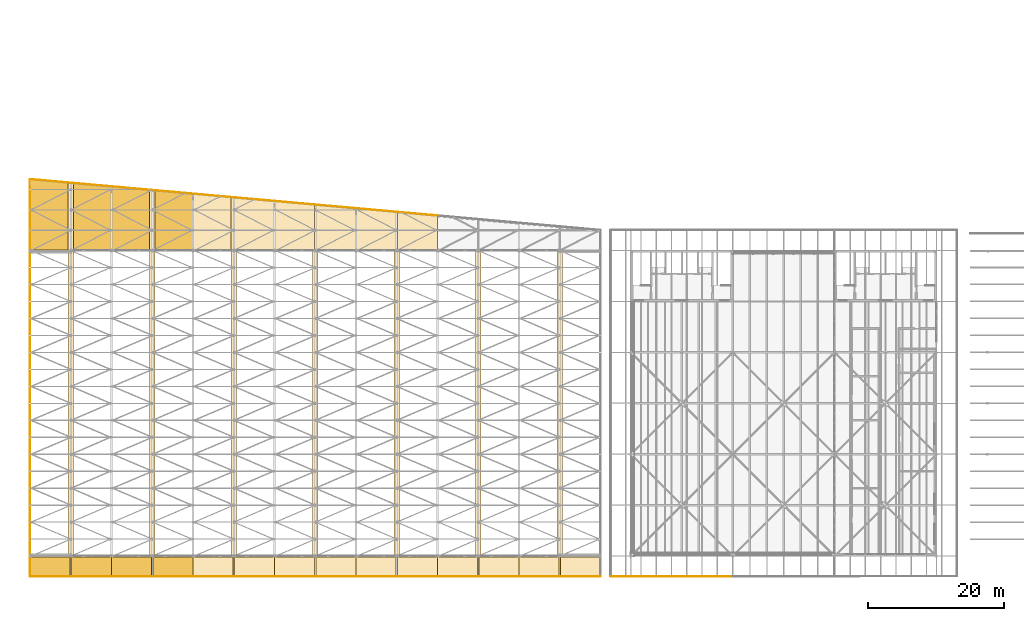
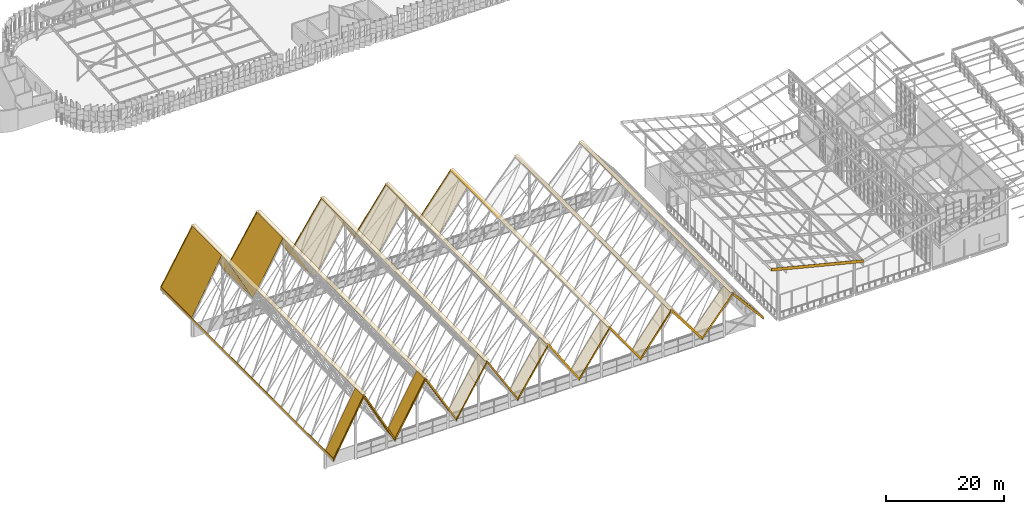
# One storey, part 459 of 483: 57 coverings.
"""IFC4 building model written with IfcOpenShell, lengths in metres."""

from ifc_helpers import new_model, si_unit, direction, frame, origin, place, context, subcontext, project, spatial, polyline, outline, extrude, material, layer, layer_set, type_object, element, save


model = new_model("IFC4")

# Units and contexts
model_context = context("Model", 3, precision=1e-05, world=origin(), true_north=direction((0.0, 1.0)))
body_context = subcontext(model_context, "Body", "Model", "MODEL_VIEW")
ifc_project = project(units=[si_unit("LENGTHUNIT", "METRE"), si_unit("AREAUNIT", "SQUARE_METRE"), si_unit("VOLUMEUNIT", "CUBIC_METRE"), si_unit("PLANEANGLEUNIT", "RADIAN"), si_unit("MASSUNIT", "GRAM", prefix="KILO")], contexts=[model_context])

# Site, building, storey
site_placement = place(None, origin())
site = spatial("IfcSite", under=ifc_project, at=site_placement, CompositionType="ELEMENT")
building_placement = place(site_placement, origin())
building = spatial("IfcBuilding", under=site, at=building_placement, Name="Parallax Yard Mobility Hub", CompositionType="ELEMENT")
storey_placement = place(building_placement, frame((0.0, 0.0, 13.199951171875)))
storey = spatial("IfcBuildingStorey", under=building, at=storey_placement, Name="L04", CompositionType="ELEMENT", Elevation=13.199951171875)

# Coverings
ifc_material_1 = material(Name="Perforated aluminium soffit panels", Category="aluminium")
ifc_layer_1 = layer(ifc_material_1, 0.02001953125)
ifc_layer_set_1 = layer_set([ifc_layer_1], Name="Eaves soffit lining 20")
covering_type_1 = type_object("IfcCoveringType", Name="Eaves soffit lining 20", PredefinedType="CEILING", material=ifc_layer_set_1)
covering_1_placement = place(storey_placement, frame((81.0, 4.5, 3.659423828125), z_axis=(0.793728576606, 0.0, 0.608272099212), x_axis=(-0.608272099212, 0.0, 0.793728576606)))
element("IfcCovering", 1, at=covering_1_placement, inside=storey, type_object=covering_type_1, Name="Eaves soffit south under roof plate P12", PredefinedType="CEILING", context=body_context, shape_type="SweptSolid", body=[
    extrude(outline(polyline([(0.0, 0.0), (9.70867739253314, 0.0), (9.70867739253314, -2.889892578125), (0.0, -2.889892578125), (0.0, 0.0)])), origin(), (0.0, 0.0, -1.0), 0.02001953125),
])
for number, where, z_axis, x_axis, name in (
    (2, (86.908935546875, 4.5, 10.701904296875), (-0.766460807991, 0.0, 0.642291078728), (-0.642291078728, 0.0, -0.766460807991), "Eaves soffit south under roof plate P13"),
    (3, (93.0, 4.5, 3.650634765625), (0.766460807991, 0.0, 0.642291078728), (-0.642291078728, 0.0, 0.766460807991), "Eaves soffit south under roof plate P14"),
):
    element("IfcCovering", number, at=place(storey_placement, frame(where, z_axis=z_axis, x_axis=x_axis)), inside=storey, type_object=covering_type_1, Name=name, PredefinedType="CEILING", context=body_context, shape_type="SweptSolid", body=[
        extrude(outline(polyline([(0.0, 0.0), (9.199778328821708, 0.0), (9.199778328821708, -2.889892578125), (0.0, -2.889892578125), (0.0, 0.0)])), origin(), (0.0, 0.0, -1.0), 0.02001953125),
    ])
covering_2_placement = place(storey_placement, frame((69.0, 4.5, 3.668701171875), z_axis=(0.81707292805, 0.0, 0.576534327033), x_axis=(-0.576534327033, 0.0, 0.81707292805)))
element("IfcCovering", 4, at=covering_2_placement, inside=storey, type_object=covering_type_1, Name="Eaves soffit south under roof plate P10", PredefinedType="CEILING", context=body_context, shape_type="SweptSolid", body=[
    extrude(outline(polyline([(0.0, 0.0), (10.238051081882457, 0.0), (10.238051081882457, -2.889892578125), (0.0, -2.889892578125), (0.0, 0.0)])), origin(), (0.0, 0.0, -1.0), 0.02001953125),
])
covering_3_placement = place(storey_placement, frame((63.097412109375, 58.169921875, 12.033935546875), z_axis=(0.81707292805, 0.0, 0.576534327033), x_axis=(0.575771750112, -0.051416272014, -0.815992192821)))
element("IfcCovering", 5, at=covering_3_placement, inside=storey, type_object=covering_type_1, Name="Eaves soffit north under roof plate P10", PredefinedType="CEILING", context=body_context, shape_type="SweptSolid", body=[
    extrude(outline(polyline([(0.0, 0.0), (10.251610797988667, -5.551115123125783e-17), (10.510374233365754, -5.02605811576164), (0.2858649322713887, -5.552460535084885), (0.0, 0.0)])), origin(), (0.0, 0.0, -1.0), 0.02001953125),
])
covering_4_placement = place(storey_placement, frame((74.905517578125, 4.5, 11.365478515625), z_axis=(-0.793728576606, 0.0, 0.608272099212), x_axis=(-0.608272099212, 0.0, -0.793728576606)))
element("IfcCovering", 6, at=covering_4_placement, inside=storey, type_object=covering_type_1, Name="Eaves soffit south under roof plate P11", PredefinedType="CEILING", context=body_context, shape_type="SweptSolid", body=[
    extrude(outline(polyline([(0.0, 0.0), (9.70867739253314, 0.0), (9.70867739253314, -2.889892578125), (0.0, -2.889892578125), (0.0, 0.0)])), origin(), (0.0, 0.0, -1.0), 0.02001953125),
])
covering_5_placement = place(storey_placement, frame((50.900146484375, 4.5, 12.703125), z_axis=(-0.837001523181, 0.0, 0.547200557559), x_axis=(-0.547200557559, 0.0, -0.837001523181)))
element("IfcCovering", 7, at=covering_5_placement, inside=storey, type_object=covering_type_1, Name="Eaves soffit south under roof plate P07", PredefinedType="CEILING", context=body_context, shape_type="SweptSolid", body=[
    extrude(outline(polyline([(0.0, 0.0), (10.782420454207253, 0.0), (10.782420454207253, -2.889892578125), (0.0, -2.889892578125), (0.0, 0.0)])), origin(), (0.0, 0.0, -1.0), 0.02001953125),
])
covering_6_placement = place(storey_placement, frame((45.0, 59.78564453125, 3.67822265625), z_axis=(-0.837001523181, 0.0, 0.547200557559), x_axis=(0.546548493635, -0.04880422267, 0.836004121972)))
element("IfcCovering", 8, at=covering_6_placement, inside=storey, type_object=covering_type_1, Name="Eaves soffit north under roof plate P07", PredefinedType="CEILING", context=body_context, shape_type="SweptSolid", body=[
    extrude(outline(polyline([(0.0, 0.0), (10.795284504646402, 0.0), (11.119768243896935, -6.640758831740988), (0.35019651086227804, -7.1669864805089185), (0.0, 0.0)])), origin(), (0.0, 0.0, -1.0), 0.02001953125),
])
covering_7_placement = place(storey_placement, frame((57.0, 4.5, 3.67822265625), z_axis=(0.837001523181, 0.0, 0.547200557559), x_axis=(-0.547200557559, 0.0, 0.837001523181)))
element("IfcCovering", 9, at=covering_7_placement, inside=storey, type_object=covering_type_1, Name="Eaves soffit south under roof plate P08", PredefinedType="CEILING", context=body_context, shape_type="SweptSolid", body=[
    extrude(outline(polyline([(0.0, 0.0), (10.782420454207253, 0.0), (10.782420454207253, -2.889892578125), (0.0, -2.889892578125), (0.0, 0.0)])), origin(), (0.0, 0.0, -1.0), 0.02001953125),
])
covering_8_placement = place(storey_placement, frame((51.099853515625, 59.2412109375, 12.703125), z_axis=(0.837001523181, 0.0, 0.547200557559), x_axis=(0.546548493635, -0.04880422267, -0.836004121972)))
element("IfcCovering", 10, at=covering_8_placement, inside=storey, type_object=covering_type_1, Name="Eaves soffit north under roof plate P08", PredefinedType="CEILING", context=body_context, shape_type="SweptSolid", body=[
    extrude(outline(polyline([(0.0, 0.0), (10.795284504646402, 0.0), (11.093197585558569, -6.096974004700912), (0.32362585252391324, -6.6232016534688425), (0.0, 0.0)])), origin(), (0.0, 0.0, -1.0), 0.02001953125),
])
covering_9_placement = place(storey_placement, frame((62.902587890625, 4.5, 12.033935546875), z_axis=(-0.81707292805, 0.0, 0.576534327033), x_axis=(-0.576534327033, 0.0, -0.81707292805)))
element("IfcCovering", 11, at=covering_9_placement, inside=storey, type_object=covering_type_1, Name="Eaves soffit south under roof plate P09", PredefinedType="CEILING", context=body_context, shape_type="SweptSolid", body=[
    extrude(outline(polyline([(0.0, 0.0), (10.238051081882457, 0.0), (10.238051081882457, -2.889892578125), (0.0, -2.889892578125), (0.0, 0.0)])), origin(), (0.0, 0.0, -1.0), 0.02001953125),
])
covering_10_placement = place(storey_placement, frame((57.0, 58.71435546875, 3.668701171875), z_axis=(-0.81707292805, 0.0, 0.576534327033), x_axis=(0.575771750112, -0.051416272014, 0.815992192821)))
element("IfcCovering", 12, at=covering_10_placement, inside=storey, type_object=covering_type_1, Name="Eaves soffit north under roof plate P09", PredefinedType="CEILING", context=body_context, shape_type="SweptSolid", body=[
    extrude(outline(polyline([(0.0, 0.0), (10.251610797988667, -5.551115123125783e-17), (10.538366979115773, -5.569771591950077), (0.3138576780214083, -6.096174011273321), (0.0, 0.0)])), origin(), (0.0, 0.0, -1.0), 0.02001953125),
])
covering_11_placement = place(storey_placement, frame((33.0, 4.5, 3.69775390625), z_axis=(0.868756272801, 0.0, 0.495239879725), x_axis=(-0.495239879725, 0.0, 0.868756272801)))
element("IfcCovering", 13, at=covering_11_placement, inside=storey, type_object=covering_type_1, Name="Eaves soffit south under roof plate P04", PredefinedType="CEILING", context=body_context, shape_type="SweptSolid", body=[
    extrude(outline(polyline([(0.0, 0.0), (11.90582680388144, 0.0), (11.90582680388144, -2.889892578125), (0.0, -2.889892578125), (0.0, 0.0)])), origin(), (0.0, 0.0, -1.0), 0.02001953125),
])
covering_12_placement = place(storey_placement, frame((27.103759765625, 61.383544921875, 14.041015625), z_axis=(0.868756272801, 0.0, 0.495239879725), x_axis=(0.494756589485, -0.044167744894, -0.867908478742)))
element("IfcCovering", 14, at=covering_12_placement, inside=storey, type_object=covering_type_1, Name="Eaves soffit north under roof plate P04", PredefinedType="CEILING", context=body_context, shape_type="SweptSolid", body=[
    extrude(outline(polyline([(0.0, 0.0), (11.917456704351748, 5.551115123125783e-17), (12.281711202034984, -8.239022235692557), (0.38750294934117246, -8.764875756715444), (0.0, 0.0)])), origin(), (0.0, 0.0, -1.0), 0.02001953125),
])
covering_13_placement = place(storey_placement, frame((38.89794921875, 4.5, 13.37255859375), z_axis=(-0.854087112772, 0.0, 0.520129987404), x_axis=(-0.520129987404, 0.0, -0.854087112772)))
element("IfcCovering", 15, at=covering_13_placement, inside=storey, type_object=covering_type_1, Name="Eaves soffit south under roof plate P05", PredefinedType="CEILING", context=body_context, shape_type="SweptSolid", body=[
    extrude(outline(polyline([(0.0, 0.0), (11.33937546685939, 0.0), (11.33937546685939, -2.889892578125), (0.0, -2.889892578125), (0.0, 0.0)])), origin(), (0.0, 0.0, -1.0), 0.02001953125),
])
covering_14_placement = place(storey_placement, frame((33.0, 60.857177734375, 3.687744140625), z_axis=(-0.854087112772, 0.0, 0.520129987404), x_axis=(0.519569994903, -0.046390946229, 0.853167568831)))
element("IfcCovering", 16, at=covering_14_placement, inside=storey, type_object=covering_type_1, Name="Eaves soffit north under roof plate P05", PredefinedType="CEILING", context=body_context, shape_type="SweptSolid", body=[
    extrude(outline(polyline([(0.0, 0.0), (11.351597044879728, 5.551115123125783e-17), (11.709756442488912, -7.712146833101719), (0.38258939541593795, -8.238191190657941), (0.0, 0.0)])), origin(), (0.0, 0.0, -1.0), 0.02001953125),
])
covering_15_placement = place(storey_placement, frame((45.0, 4.5, 3.687744140625), z_axis=(0.854087112772, 0.0, 0.520129987404), x_axis=(-0.520129987404, 0.0, 0.854087112772)))
element("IfcCovering", 17, at=covering_15_placement, inside=storey, type_object=covering_type_1, Name="Eaves soffit south under roof plate P06", PredefinedType="CEILING", context=body_context, shape_type="SweptSolid", body=[
    extrude(outline(polyline([(0.0, 0.0), (11.33937546685939, 0.0), (11.33937546685939, -2.889892578125), (0.0, -2.889892578125), (0.0, 0.0)])), origin(), (0.0, 0.0, -1.0), 0.02001953125),
])
covering_16_placement = place(storey_placement, frame((39.10205078125, 60.312255859375, 13.37255859375), z_axis=(0.854087112772, 0.0, 0.520129987404), x_axis=(0.519569994903, -0.046390946229, -0.853167568831)))
element("IfcCovering", 18, at=covering_16_placement, inside=storey, type_object=covering_type_1, Name="Eaves soffit north under roof plate P06", PredefinedType="CEILING", context=body_context, shape_type="SweptSolid", body=[
    extrude(outline(polyline([(0.0, 0.0), (11.351597044879728, 5.551115123125783e-17), (11.684477001086652, -7.167811642528939), (0.35730995401367704, -7.693856000085161), (0.0, 0.0)])), origin(), (0.0, 0.0, -1.0), 0.02001953125),
])
covering_17_placement = place(storey_placement, frame((14.894775390625, 4.5, 14.71044921875), z_axis=(-0.881463977305, 0.0, 0.472251264385), x_axis=(-0.472251264385, 0.0, -0.881463977305)))
element("IfcCovering", 19, at=covering_17_placement, inside=storey, type_object=covering_type_1, Name="Eaves soffit south under roof plate P01", PredefinedType="CEILING", context=body_context, shape_type="SweptSolid", body=[
    extrude(outline(polyline([(0.0, 0.0), (12.48228609467553, 0.0), (12.48228609467553, -2.889892578125), (0.0, -2.889892578125), (0.0, 0.0)])), origin(), (0.0, 0.0, -1.0), 0.02001953125),
])
covering_18_placement = place(storey_placement, frame((9.0, 63.0, 3.707763671875), z_axis=(-0.881463977305, 0.0, 0.472251264385), x_axis=(0.471831936495, -0.042131690001, 0.88068129559)))
element("IfcCovering", 20, at=covering_18_placement, inside=storey, type_object=covering_type_1, Name="Eaves soffit north under roof plate P01", PredefinedType="CEILING", context=body_context, shape_type="SweptSolid", body=[
    extrude(outline(polyline([(0.0, 0.0), (12.49337938931684, -5.551115123125783e-17), (12.908946383395135, -9.854767232407713), (0.4377437332489292, -10.380667040656792), (0.0, 0.0)])), origin(), (0.0, 0.0, -1.0), 0.02001953125),
])
covering_19_placement = place(storey_placement, frame((21.0, 4.5, 3.707763671875), z_axis=(0.881463977305, 0.0, 0.472251264385), x_axis=(-0.472251264385, 0.0, 0.881463977305)))
element("IfcCovering", 21, at=covering_19_placement, inside=storey, type_object=covering_type_1, Name="Eaves soffit south under roof plate P02", PredefinedType="CEILING", context=body_context, shape_type="SweptSolid", body=[
    extrude(outline(polyline([(0.0, 0.0), (12.48228609467553, 0.0), (12.48228609467553, -2.889892578125), (0.0, -2.889892578125), (0.0, 0.0)])), origin(), (0.0, 0.0, -1.0), 0.02001953125),
])
covering_20_placement = place(storey_placement, frame((15.105224609375, 62.454833984375, 14.71044921875), z_axis=(0.881463977305, 0.0, 0.472251264385), x_axis=(0.471832324874, -0.042112183065, -0.880682020505)))
element("IfcCovering", 22, at=covering_20_placement, inside=storey, type_object=covering_type_1, Name="Eaves soffit north under roof plate P02", PredefinedType="CEILING", context=body_context, shape_type="SweptSolid", body=[
    extrude(outline(polyline([(0.0, 0.0), (12.493369105640927, -5.551115123125783e-17), (12.885795842800807, -9.310336875612002), (0.41458292722457973, -9.835993192700315), (0.0, 0.0)])), origin(), (0.0, 0.0, -1.0), 0.02001953125),
])
covering_21_placement = place(storey_placement, frame((26.896240234375, 4.5, 14.041015625), z_axis=(-0.868756272801, 0.0, 0.495239879725), x_axis=(-0.495239879725, 0.0, -0.868756272801)))
element("IfcCovering", 23, at=covering_21_placement, inside=storey, type_object=covering_type_1, Name="Eaves soffit south under roof plate P03", PredefinedType="CEILING", context=body_context, shape_type="SweptSolid", body=[
    extrude(outline(polyline([(0.0, 0.0), (11.90582680388144, 0.0), (11.90582680388144, -2.889892578125), (0.0, -2.889892578125), (0.0, 0.0)])), origin(), (0.0, 0.0, -1.0), 0.02001953125),
])
covering_22_placement = place(storey_placement, frame((21.0, 61.9287109375, 3.69775390625), z_axis=(-0.868756272801, 0.0, 0.495239879725), x_axis=(0.494756141716, -0.044188190869, 0.867907693261)))
element("IfcCovering", 24, at=covering_22_placement, inside=storey, type_object=covering_type_1, Name="Eaves soffit north under roof plate P03", PredefinedType="CEILING", context=body_context, shape_type="SweptSolid", body=[
    extrude(outline(polyline([(0.0, 0.0), (11.91746748998844, 5.551115123125783e-17), (12.305969718890134, -8.783404388003518), (0.41177223078276143, -9.309501335268974), (0.0, 0.0)])), origin(), (0.0, 0.0, -1.0), 0.02001953125),
])
ifc_material_2 = material(Name="Aluminium-zinc coated ridge flashing", Category="aluminium")
ifc_layer_2 = layer(ifc_material_2, 0.050048828125)
ifc_layer_set_2 = layer_set([ifc_layer_2], Name="Ridge cap flashing 50")
covering_type_2 = type_object("IfcCoveringType", Name="Ridge cap flashing 50", PredefinedType="CLADDING", material=ifc_layer_set_2)
covering_23_placement = place(storey_placement, frame((0.0, 0.0, 15.04931640625)))
element("IfcCovering", 25, at=covering_23_placement, inside=storey, type_object=covering_type_2, Name="Ridge cap over the roof joint 1", PredefinedType="CLADDING", context=body_context, shape_type="SweptSolid", body=[
    extrude(outline(polyline([(14.5947265625, 4.5), (15.4052734375, 4.5), (15.4052734375, 62.454833984375), (14.5947265625, 62.454833984375), (14.5947265625, 4.5)])), origin(), (0.0, 0.0, 1.0), 0.050048828125),
])
covering_24_placement = place(storey_placement, frame((0.0, 0.0, 14.3642578125)))
element("IfcCovering", 26, at=covering_24_placement, inside=storey, type_object=covering_type_2, Name="Ridge cap over the roof joint 2", PredefinedType="CLADDING", context=body_context, shape_type="SweptSolid", body=[
    extrude(outline(polyline([(26.59619140625, 4.5), (27.40380859375, 4.5), (27.40380859375, 61.383544921875), (26.59619140625, 61.383544921875), (26.59619140625, 4.5)])), origin(), (0.0, 0.0, 1.0), 0.0498046875),
])
covering_25_placement = place(storey_placement, frame((0.0, 0.0, 13.68017578125)))
element("IfcCovering", 27, at=covering_25_placement, inside=storey, type_object=covering_type_2, Name="Ridge cap over the roof joint 3", PredefinedType="CLADDING", context=body_context, shape_type="SweptSolid", body=[
    extrude(outline(polyline([(38.597900390625, 4.5), (39.402099609375, 4.5), (39.402099609375, 60.312255859375), (38.597900390625, 60.312255859375), (38.597900390625, 4.5)])), origin(), (0.0, 0.0, 1.0), 0.050048828125),
])
covering_26_placement = place(storey_placement, frame((0.0, 0.0, 12.99560546875)))
element("IfcCovering", 28, at=covering_26_placement, inside=storey, type_object=covering_type_2, Name="Ridge cap over the roof joint 4", PredefinedType="CLADDING", context=body_context, shape_type="SweptSolid", body=[
    extrude(outline(polyline([(50.60009765625, 4.5), (51.39990234375, 4.5), (51.39990234375, 59.2412109375), (50.60009765625, 59.2412109375), (50.60009765625, 4.5)])), origin(), (0.0, 0.0, 1.0), 0.050048828125),
])
covering_27_placement = place(storey_placement, frame((0.0, 0.0, 12.3115234375)))
element("IfcCovering", 29, at=covering_27_placement, inside=storey, type_object=covering_type_2, Name="Ridge cap over the roof joint 5", PredefinedType="CLADDING", context=body_context, shape_type="SweptSolid", body=[
    extrude(outline(polyline([(62.6025390625, 4.5), (63.3974609375, 4.5), (63.3974609375, 58.169921875), (62.6025390625, 58.169921875), (62.6025390625, 4.5)])), origin(), (0.0, 0.0, 1.0), 0.0498046875),
])
covering_28_placement = place(storey_placement, frame((0.0, 0.0, 11.628662109375)))
element("IfcCovering", 30, at=covering_28_placement, inside=storey, type_object=covering_type_2, Name="Ridge cap over the roof joint 6", PredefinedType="CLADDING", context=body_context, shape_type="SweptSolid", body=[
    extrude(outline(polyline([(74.60546875, 4.5), (75.39453125, 4.5), (75.39453125, 57.0986328125), (74.60546875, 57.0986328125), (74.60546875, 4.5)])), origin(), (0.0, 0.0, 1.0), 0.0498046875),
])
covering_29_placement = place(storey_placement, frame((0.0, 0.0, 10.950927734375)))
element("IfcCovering", 31, at=covering_29_placement, inside=storey, type_object=covering_type_2, Name="Ridge cap over the roof joint 7", PredefinedType="CLADDING", context=body_context, shape_type="SweptSolid", body=[
    extrude(outline(polyline([(86.60888671875, 4.5), (87.39111328125, 4.5), (87.39111328125, 56.027587890625), (86.60888671875, 56.027587890625), (86.60888671875, 4.5)])), origin(), (0.0, 0.0, 1.0), 0.050048828125),
])
ifc_material_3 = material(Name="Aluminium composite fascia panel", Category="aluminium")
ifc_layer_3 = layer(ifc_material_3, 0.0400390625)
ifc_layer_set_3 = layer_set([ifc_layer_3], Name="Roof fascia 600")
covering_type_3 = type_object("IfcCoveringType", Name="Roof fascia 600", PredefinedType="CLADDING", material=ifc_layer_set_3)
covering_30_placement = place(storey_placement, frame((75.094482421875, 4.5, 11.562744140625), z_axis=(0.0, 1.0, 0.0), x_axis=(0.608272099212, 0.0, -0.793728576606)))
element("IfcCovering", 32, at=covering_30_placement, inside=storey, type_object=covering_type_3, Name="Fascia on roof edge V1-P12-PL edge 1", PredefinedType="CLADDING", context=body_context, shape_type="SweptSolid", body=[
    extrude(outline(polyline([(0.0, 0.0), (9.70867739253314, 0.0), (10.184798269662142, 0.3648741571687184), (0.47631465851977445, 0.36502266109918974), (0.0, 0.0)])), origin(), (0.0, 0.0, -1.0), 0.0400390625),
])
covering_31_placement = place(storey_placement, frame((81.0, 4.5, 3.83740234375), z_axis=(0.0, 1.0, 0.0), x_axis=(0.642291078728, 0.0, 0.766460807991)))
element("IfcCovering", 33, at=covering_31_placement, inside=storey, type_object=covering_type_3, Name="Fascia on roof edge V1-P13-PL edge 1", PredefinedType="CLADDING", context=body_context, shape_type="SweptSolid", body=[
    extrude(outline(polyline([(0.0, 0.0), (9.199778328821708, 0.0), (8.74001411855932, 0.3852805616294104), (-0.4597642102623895, 0.38528056162940977), (0.0, 0.0)])), origin(), (0.0, 0.0, -1.0), 0.0400390625),
])
covering_32_placement = place(storey_placement, frame((87.091064453125, 4.5, 10.888671875), z_axis=(0.0, 1.0, 0.0), x_axis=(0.642291078728, 0.0, -0.766460807991)))
element("IfcCovering", 34, at=covering_32_placement, inside=storey, type_object=covering_type_3, Name="Fascia on roof edge V1-P14-PL edge 1", PredefinedType="CLADDING", context=body_context, shape_type="SweptSolid", body=[
    extrude(outline(polyline([(0.0, 0.0), (9.199778328821708, 0.0), (9.659542539084098, 0.3852805616294095), (0.4597642102623895, 0.38528056162940977), (0.0, 0.0)])), origin(), (0.0, 0.0, -1.0), 0.0400390625),
])
covering_33_placement = place(storey_placement, frame((63.097412109375, 4.5, 12.241943359375), z_axis=(0.0, 1.0, 0.0), x_axis=(0.576545560534, 0.0, -0.817065001471)))
element("IfcCovering", 35, at=covering_33_placement, inside=storey, type_object=covering_type_3, Name="Fascia on roof edge V1-P10-PL edge 1", PredefinedType="CLADDING", context=body_context, shape_type="SweptSolid", body=[
    extrude(outline(polyline([(0.0, 0.0), (10.237851602154722, -8.881784197001252e-16), (10.728170394541404, 0.34598363959760725), (0.49011931362655875, 0.3458428814041184), (0.0, 0.0)])), origin(), (0.0, 0.0, -1.0), 0.0400390625),
])
covering_34_placement = place(storey_placement, frame((69.0, 57.642822265625, 3.876953125), z_axis=(-0.088945805204, -0.996036467072, 0.0), x_axis=(-0.575782939095, 0.051417271188, 0.815984234695)))
element("IfcCovering", 36, at=covering_34_placement, inside=storey, type_object=covering_type_3, Name="Fascia on roof edge V1-P10-PL edge 3", PredefinedType="CLADDING", context=body_context, shape_type="SweptSolid", body=[
    extrude(outline(polyline([(0.0, 0.0), (10.251411582116157, 0.0), (9.761940570239874, 0.34675981419489865), (-0.48967022677733096, 0.34690094558040696), (0.0, 0.0)])), origin(), (0.0, 0.0, -1.0), 0.0400390625),
])
covering_35_placement = place(storey_placement, frame((69.0, 4.5, 3.856689453125), z_axis=(0.0, 1.0, 0.0), x_axis=(0.608272099212, 0.0, 0.793728576606)))
element("IfcCovering", 37, at=covering_35_placement, inside=storey, type_object=covering_type_3, Name="Fascia on roof edge V1-P11-PL edge 1", PredefinedType="CLADDING", context=body_context, shape_type="SweptSolid", body=[
    extrude(outline(polyline([(0.0, 0.0), (9.70867739253314, 0.0), (9.232362734013366, 0.36502266109918935), (-0.47612087712900153, 0.3648741571687181), (0.0, 0.0)])), origin(), (0.0, 0.0, -1.0), 0.0400390625),
])
covering_36_placement = place(storey_placement, frame((45.0, 4.5, 3.8974609375), z_axis=(0.0, 1.0, 0.0), x_axis=(0.547200557559, 0.0, 0.837001523181)))
element("IfcCovering", 38, at=covering_36_placement, inside=storey, type_object=covering_type_3, Name="Fascia on roof edge V1-P07-PL edge 1", PredefinedType="CLADDING", context=body_context, shape_type="SweptSolid", body=[
    extrude(outline(polyline([(0.0, 0.0), (10.782420454207253, 0.0), (10.28034214794362, 0.328240178203572), (-0.5022826523386293, 0.32837377208969476), (0.0, 0.0)])), origin(), (0.0, 0.0, -1.0), 0.0400390625),
])
covering_37_placement = place(storey_placement, frame((50.900146484375, 59.2587890625, 12.92236328125), z_axis=(-0.08894143001, -0.996036857766, 0.0), x_axis=(-0.546548493635, 0.04880422267, -0.836004121972)))
element("IfcCovering", 39, at=covering_37_placement, inside=storey, type_object=covering_type_3, Name="Fascia on roof edge V1-P07-PL edge 3", PredefinedType="CLADDING", context=body_context, shape_type="SweptSolid", body=[
    extrude(outline(polyline([(0.0, 0.0), (10.795284504646402, 8.881784197001252e-16), (11.296968618857424, 0.3292874831891508), (0.5014800116421816, 0.3291535175735322), (0.0, 0.0)])), origin(), (0.0, 0.0, -1.0), 0.0400390625),
])
covering_38_placement = place(storey_placement, frame((51.099853515625, 4.5, 12.92236328125), z_axis=(0.0, 1.0, 0.0), x_axis=(0.547200557559, 0.0, -0.837001523181)))
element("IfcCovering", 40, at=covering_38_placement, inside=storey, type_object=covering_type_3, Name="Fascia on roof edge V1-P08-PL edge 1", PredefinedType="CLADDING", context=body_context, shape_type="SweptSolid", body=[
    extrude(outline(polyline([(0.0, 0.0), (10.782420454207253, 0.0), (11.284703106545882, 0.3283737720896944), (0.502078306263634, 0.328240178203572), (0.0, 0.0)])), origin(), (0.0, 0.0, -1.0), 0.0400390625),
])
covering_39_placement = place(storey_placement, frame((57.0, 58.71435546875, 3.8974609375), z_axis=(-0.08894143001, -0.996036857766, 0.0), x_axis=(-0.546548493635, 0.04880422267, 0.836004121972)))
element("IfcCovering", 41, at=covering_39_placement, inside=storey, type_object=covering_type_3, Name="Fascia on roof edge V1-P08-PL edge 3", PredefinedType="CLADDING", context=body_context, shape_type="SweptSolid", body=[
    extrude(outline(polyline([(0.0, 0.0), (10.795284504646402, -8.881784197001252e-16), (10.29380449300422, 0.3291535175735314), (-0.5016841142110225, 0.32928748318915024), (0.0, 0.0)])), origin(), (0.0, 0.0, -1.0), 0.0400390625),
])
covering_40_placement = place(storey_placement, frame((57.0, 4.5, 3.876953125), z_axis=(0.0, 1.0, 0.0), x_axis=(0.576545560534, 0.0, 0.817065001471)))
element("IfcCovering", 42, at=covering_40_placement, inside=storey, type_object=covering_type_3, Name="Fascia on roof edge V1-P09-PL edge 1", PredefinedType="CLADDING", context=body_context, shape_type="SweptSolid", body=[
    extrude(outline(polyline([(0.0, 0.0), (10.237851602154722, 8.881784197001252e-16), (9.747732288528162, 0.3458428814041197), (-0.4903187923866835, 0.3459836395976081), (0.0, 0.0)])), origin(), (0.0, 0.0, -1.0), 0.0400390625),
])
covering_41_placement = place(storey_placement, frame((62.902587890625, 58.187255859375, 12.241943359375), z_axis=(-0.088945805204, -0.996036467072, 0.0), x_axis=(-0.575782939095, 0.051417271188, -0.815984234695)))
element("IfcCovering", 43, at=covering_41_placement, inside=storey, type_object=covering_type_3, Name="Fascia on roof edge V1-P09-PL edge 3", PredefinedType="CLADDING", context=body_context, shape_type="SweptSolid", body=[
    extrude(outline(polyline([(0.0, 0.0), (10.251411582116157, 0.0), (10.741081808893489, 0.3469009455804066), (0.48947101187628245, 0.3467598141948982), (0.0, 0.0)])), origin(), (0.0, 0.0, -1.0), 0.0400390625),
])
covering_42_placement = place(storey_placement, frame((27.103759765625, 4.5, 14.283447265625), z_axis=(0.0, 1.0, 0.0), x_axis=(0.495231057308, 0.0, -0.868761302015)))
element("IfcCovering", 44, at=covering_42_placement, inside=storey, type_object=covering_type_3, Name="Fascia on roof edge V1-P04-PL edge 1", PredefinedType="CLADDING", context=body_context, shape_type="SweptSolid", body=[
    extrude(outline(polyline([(0.0, 0.0), (11.906038903194778, 8.881784197001252e-16), (12.427380524374389, 0.29718699679252225), (0.5213416211796107, 0.297186996792522), (0.0, 0.0)])), origin(), (0.0, 0.0, -1.0), 0.0400390625),
])
covering_43_placement = place(storey_placement, frame((33.0, 60.857177734375, 3.93994140625), z_axis=(-0.088918055765, -0.9960389447, 0.0), x_axis=(-0.494747792871, 0.044166959605, 0.86791353321)))
element("IfcCovering", 45, at=covering_43_placement, inside=storey, type_object=covering_type_3, Name="Fascia on roof edge V1-P04-PL edge 3", PredefinedType="CLADDING", context=body_context, shape_type="SweptSolid", body=[
    extrude(outline(polyline([(0.0, 0.0), (11.917668596687198, -8.881784197001252e-16), (11.396835719580302, 0.2980776931628686), (-0.5208328771068946, 0.29807769316286925), (0.0, 0.0)])), origin(), (0.0, 0.0, -1.0), 0.0400390625),
])
covering_44_placement = place(storey_placement, frame((33.0, 4.5, 3.91845703125), z_axis=(0.0, 1.0, 0.0), x_axis=(0.520129987404, 0.0, 0.854087112772)))
element("IfcCovering", 46, at=covering_44_placement, inside=storey, type_object=covering_type_3, Name="Fascia on roof edge V1-P05-PL edge 1", PredefinedType="CLADDING", context=body_context, shape_type="SweptSolid", body=[
    extrude(outline(polyline([(0.0, 0.0), (11.33937546685939, -8.881784197001252e-16), (10.827048309613238, 0.31200180152644474), (-0.5125356746076697, 0.3121287863866517), (0.0, 0.0)])), origin(), (0.0, 0.0, -1.0), 0.0400390625),
])
covering_45_placement = place(storey_placement, frame((38.89794921875, 60.33056640625, 13.603271484375), z_axis=(-0.088933398833, -0.99603757488, 0.0), x_axis=(-0.519569994903, 0.046390946229, -0.853167568831)))
element("IfcCovering", 47, at=covering_45_placement, inside=storey, type_object=covering_type_3, Name="Fascia on roof edge V1-P05-PL edge 3", PredefinedType="CLADDING", context=body_context, shape_type="SweptSolid", body=[
    extrude(outline(polyline([(0.0, 0.0), (11.351597044879728, 1.7763568394002505e-15), (11.863580903323502, 0.3130331064436671), (0.5117755655802874, 0.3129057536745674), (0.0, 0.0)])), origin(), (0.0, 0.0, -1.0), 0.0400390625),
])
covering_46_placement = place(storey_placement, frame((39.10205078125, 4.5, 13.603271484375), z_axis=(0.0, 1.0, 0.0), x_axis=(0.520129987404, 0.0, -0.854087112772)))
element("IfcCovering", 48, at=covering_46_placement, inside=storey, type_object=covering_type_3, Name="Fascia on roof edge V1-P06-PL edge 1", PredefinedType="CLADDING", context=body_context, shape_type="SweptSolid", body=[
    extrude(outline(polyline([(0.0, 0.0), (11.33937546685939, 8.881784197001252e-16), (11.85191114146706, 0.3121287863866522), (0.5123271572461532, 0.3120018015264456), (0.0, 0.0)])), origin(), (0.0, 0.0, -1.0), 0.0400390625),
])
covering_47_placement = place(storey_placement, frame((45.0, 59.78564453125, 3.91845703125), z_axis=(-0.088933398833, -0.99603757488, 0.0), x_axis=(-0.519569994903, 0.046390946229, 0.853167568831)))
element("IfcCovering", 49, at=covering_47_placement, inside=storey, type_object=covering_type_3, Name="Fascia on roof edge V1-P06-PL edge 3", PredefinedType="CLADDING", context=body_context, shape_type="SweptSolid", body=[
    extrude(outline(polyline([(0.0, 0.0), (11.351597044879728, -1.7763568394002505e-15), (10.839821479299442, 0.3129057536745661), (-0.5119838584437715, 0.3130331064436657), (0.0, 0.0)])), origin(), (0.0, 0.0, -1.0), 0.0400390625),
])
covering_48_placement = place(storey_placement, frame((9.0, 4.5, 3.961669921875), z_axis=(0.0, 1.0, 0.0), x_axis=(0.472243122645, 0.0, 0.881468339258)))
element("IfcCovering", 50, at=covering_48_placement, inside=storey, type_object=covering_type_3, Name="Fascia on roof edge V1-P01-PL edge 1", PredefinedType="CLADDING", context=body_context, shape_type="SweptSolid", body=[
    extrude(outline(polyline([(0.0, 0.0), (12.482501296374336, 0.0), (11.953749414158338, 0.2832766973485672), (-0.5287518822159973, 0.2832766973485679), (0.0, 0.0)])), origin(), (0.0, 0.0, -1.0), 0.0400390625),
])
covering_49_placement = place(storey_placement, frame((14.894775390625, 62.4736328125, 14.964599609375), z_axis=(-0.088939977017, -0.99603698751, 0.0), x_axis=(-0.471823816424, 0.042130964929, -0.88068568062)))
element("IfcCovering", 51, at=covering_49_placement, inside=storey, type_object=covering_type_3, Name="Fascia on roof edge V1-P01-PL edge 3", PredefinedType="CLADDING", context=body_context, shape_type="SweptSolid", body=[
    extrude(outline(polyline([(0.0, 0.0), (12.493594399934057, -8.881784197001252e-16), (13.021876801614745, 0.2841512700695814), (0.528282401680688, 0.28415127006958163), (0.0, 0.0)])), origin(), (0.0, 0.0, -1.0), 0.0400390625),
])
covering_50_placement = place(storey_placement, frame((9.0, 63.0, 3.961669921875), z_axis=(1.0, 0.0, 0.0), x_axis=(0.0, -1.0, 0.0)))
element("IfcCovering", 52, at=covering_50_placement, inside=storey, type_object=covering_type_3, Name="Fascia on roof edge V1-P01-PL edge 4", PredefinedType="CLADDING", context=body_context, shape_type="SweptSolid", body=[
    extrude(outline(polyline([(0.0, 0.0), (58.5, 0.0), (58.5, 0.599853515625), (0.0, 0.599853515625), (0.0, 0.0)])), origin(), (0.0, 0.0, -1.0), 0.0400390625),
])
covering_51_placement = place(storey_placement, frame((15.105224609375, 4.5, 14.964599609375), z_axis=(0.0, 1.0, 0.0), x_axis=(0.472243122645, 0.0, -0.881468339258)))
element("IfcCovering", 53, at=covering_51_placement, inside=storey, type_object=covering_type_3, Name="Fascia on roof edge V1-P02-PL edge 1", PredefinedType="CLADDING", context=body_context, shape_type="SweptSolid", body=[
    extrude(outline(polyline([(0.0, 0.0), (12.482501296374336, 0.0), (13.011253178590334, 0.2832766973485681), (0.5287518822159973, 0.2832766973485679), (0.0, 0.0)])), origin(), (0.0, 0.0, -1.0), 0.0400390625),
])
covering_52_placement = place(storey_placement, frame((21.0, 61.9287109375, 3.961669921875), z_axis=(-0.088899050802, -0.996040641122, 0.0), x_axis=(-0.471824204783, 0.042111458327, 0.880686405515)))
element("IfcCovering", 54, at=covering_52_placement, inside=storey, type_object=covering_type_3, Name="Fascia on roof edge V1-P02-PL edge 3", PredefinedType="CLADDING", context=body_context, shape_type="SweptSolid", body=[
    extrude(outline(polyline([(0.0, 0.0), (12.493584116435123, 0.0), (11.96530127992393, 0.28415046164903224), (-0.5282828365111949, 0.28415046164903246), (0.0, 0.0)])), origin(), (0.0, 0.0, -1.0), 0.0400390625),
])
covering_53_placement = place(storey_placement, frame((21.0, 4.5, 3.93994140625), z_axis=(0.0, 1.0, 0.0), x_axis=(0.495231057308, 0.0, 0.868761302015)))
element("IfcCovering", 55, at=covering_53_placement, inside=storey, type_object=covering_type_3, Name="Fascia on roof edge V1-P03-PL edge 1", PredefinedType="CLADDING", context=body_context, shape_type="SweptSolid", body=[
    extrude(outline(polyline([(0.0, 0.0), (11.906038903194778, -8.881784197001252e-16), (11.384697282015166, 0.29718699679252136), (-0.5213416211796107, 0.297186996792522), (0.0, 0.0)])), origin(), (0.0, 0.0, -1.0), 0.0400390625),
])
covering_54_placement = place(storey_placement, frame((26.896240234375, 61.402099609375, 14.283447265625), z_axis=(-0.088958971603, -0.996035291228, 0.0), x_axis=(-0.494747345126, 0.044187405219, -0.867912747752)))
element("IfcCovering", 56, at=covering_54_placement, inside=storey, type_object=covering_type_3, Name="Fascia on roof edge V1-P03-PL edge 3", PredefinedType="CLADDING", context=body_context, shape_type="SweptSolid", body=[
    extrude(outline(polyline([(0.0, 0.0), (11.917679382132123, 8.881784197001252e-16), (12.438511787887665, 0.2980785167563056), (0.5208324057555408, 0.29807851675630526), (0.0, 0.0)])), origin(), (0.0, 0.0, -1.0), 0.0400390625),
])
covering_55_placement = place(storey_placement, frame((94.5, 4.5, 13.319580078125), z_axis=(0.0, 1.0, 0.0), x_axis=(0.970142500145, 0.0, -0.242535625036)))
element("IfcCovering", 57, at=covering_55_placement, inside=storey, type_object=covering_type_3, Name="Fascia on roof edge V3-W-PL edge 1", PredefinedType="CLADDING", context=body_context, shape_type="SweptSolid", body=[
    extrude(outline(polyline([(0.0, 0.0), (18.553975315279473, 0.0), (18.699461162621823, 0.5819433893694042), (0.1454858473423511, 0.5819433893694044), (0.0, 0.0)])), origin(), (0.0, 0.0, -1.0), 0.0400390625),
])

save(model, "model.ifc")
